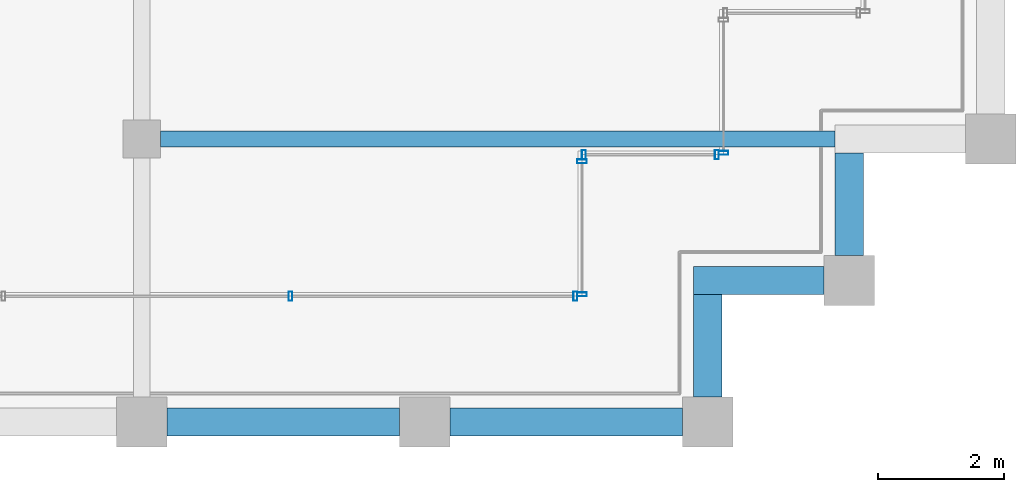
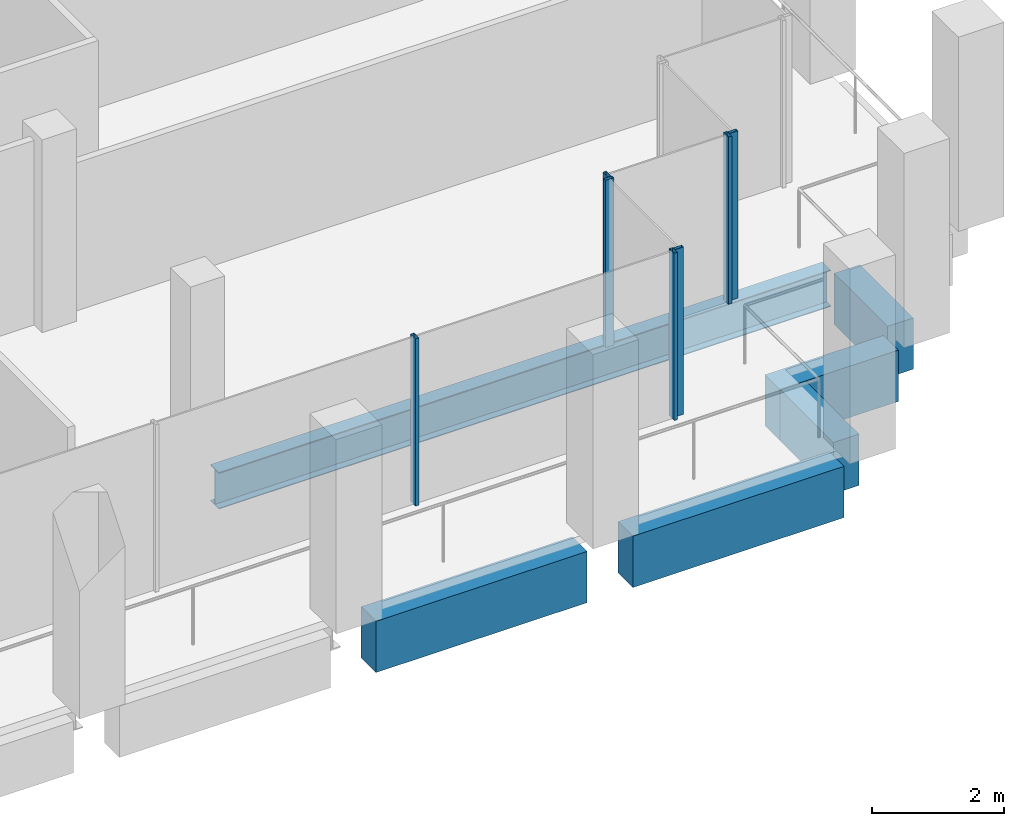
# One storey, part 12 of 30: 7 members, 6 beams, 4 elements without a shape of their own.
"""IFC4 building model written with IfcOpenShell, lengths in metres."""

from ifc_helpers import new_model, si_unit, direction, frame, origin, origin_2d, place, context, subcontext, project, spatial, rectangle, hollow_rectangle, i_section, extrude, material, material_profile, profile_set, type_object, element, aggregate, save


model = new_model("IFC4")

# Units and contexts
model_context = context("Model", 3, precision=1e-05, world=origin(), true_north=direction((0.0, 1.0)))
body_context = subcontext(model_context, "Body", "Model", "MODEL_VIEW")
ifc_project = project(units=[si_unit("LENGTHUNIT", "METRE"), si_unit("AREAUNIT", "SQUARE_METRE"), si_unit("VOLUMEUNIT", "CUBIC_METRE"), si_unit("PLANEANGLEUNIT", "RADIAN"), si_unit("MASSUNIT", "GRAM", prefix="KILO")], contexts=[model_context])

# Site, building, storey
site_placement = place(None, origin())
site = spatial("IfcSite", under=ifc_project, at=site_placement, CompositionType="ELEMENT")
building_placement = place(site_placement, origin())
building = spatial("IfcBuilding", under=site, at=building_placement, Name="Altepetl Exchange Towers", CompositionType="ELEMENT")
storey_placement = place(building_placement, frame((0.0, 0.0, 213.60009765625)))
storey = spatial("IfcBuildingStorey", under=building, at=storey_placement, Name="L54", CompositionType="ELEMENT", Elevation=213.60009765625)

# Beam
ifc_material_1 = material(Name="Steel S355", Category="steel")
ifc_material_profile_1 = material_profile(ifc_material_1, i_section(OverallWidth=0.2529296875, OverallDepth=0.677978515625, WebThickness=0.01171875, FlangeThickness=0.016357421875, at=origin_2d()), Name="W27X84")
ifc_profile_set_1 = profile_set([ifc_material_profile_1], Name="Steel S355")
beam_type_1 = type_object("IfcBeamType", Name="Floor beam W27X84", PredefinedType="BEAM", material=ifc_profile_set_1)
beam_1_placement = place(storey_placement, frame((58.800048828125, 31.5, -0.489013671875), z_axis=(1.0, 0.0, 0.0), x_axis=(0.0, 1.0, 0.0)))
element("IfcBeam", 1, at=beam_1_placement, inside=storey, type_object=beam_type_1, Name="bm:A:L54:006", PredefinedType="BEAM", context=body_context, shape_type="SweptSolid", body=[
    extrude(i_section(OverallWidth=0.2529296875, OverallDepth=0.677978515625, WebThickness=0.01171875, FlangeThickness=0.016357421875, at=origin_2d()), origin(), (0.0, 0.0, 1.0), 10.724853515625),
])

# Curtain wall, members
ifc_material_2 = material(Name="Aluminium 6063-T6 glazing", Category="aluminium")
curtain_wall_type = type_object("IfcCurtainWallType", Name="Loggia glazing system", PredefinedType="NOTDEFINED", material=ifc_material_2)
curtain_wall_1_placement = place(storey_placement, origin())
curtain_wall_1 = element("IfcCurtainWall", 2, at=curtain_wall_1_placement, inside=storey, type_object=curtain_wall_type, Name="CW1 run", PredefinedType="NOTDEFINED")
ifc_material_3 = material(Name="Aluminium 6063-T6", Category="aluminium")
ifc_material_profile_2 = material_profile(ifc_material_3, hollow_rectangle(XDim=0.06005859375, YDim=0.14990234375, WallThickness=0.0029296875, at=origin_2d()), Name="Mullion 60x150 aluminium")
ifc_profile_set_2 = profile_set([ifc_material_profile_2], Name="Aluminium 6063-T6")
member_type = type_object("IfcMemberType", Name="Mullion 60x150 aluminium", PredefinedType="MULLION", material=ifc_profile_set_2)
member_1_placement = place(storey_placement, frame((60.8642578125, 29.0, 0.0)))
member_1 = element("IfcMember", 3, at=member_1_placement, type_object=member_type, Name="MU1 mullion", PredefinedType="MULLION", context=body_context, shape_type="SweptSolid", body=[
    extrude(hollow_rectangle(XDim=0.06005859375, YDim=0.14990234375, WallThickness=0.0029296875, at=origin_2d()), origin(), (0.0, 0.0, 1.0), 3.099853515625),
])
member_2_placement = place(storey_placement, frame((65.39501953125, 29.0, 0.0)))
member_2 = element("IfcMember", 4, at=member_2_placement, type_object=member_type, Name="MU1 mullion", PredefinedType="MULLION", context=body_context, shape_type="SweptSolid", body=[
    extrude(hollow_rectangle(XDim=0.06005859375, YDim=0.14990234375, WallThickness=0.0029296875, at=origin_2d()), origin(), (0.0, 0.0, 1.0), 3.099853515625),
])
aggregate(curtain_wall_1, [member_1, member_2])

curtain_wall_2_placement = place(storey_placement, origin())
curtain_wall_2 = element("IfcCurtainWall", 5, at=curtain_wall_2_placement, inside=storey, type_object=curtain_wall_type, Name="CW1 run", PredefinedType="NOTDEFINED")
member_3_placement = place(storey_placement, frame((65.5, 29.030029296875, 0.0), z_axis=(0.0, 0.0, 1.0), x_axis=(0.0, 1.0, 0.0)))
member_3 = element("IfcMember", 6, at=member_3_placement, type_object=member_type, Name="MU1 mullion", PredefinedType="MULLION", context=body_context, shape_type="SweptSolid", body=[
    extrude(hollow_rectangle(XDim=0.06005859375, YDim=0.14990234375, WallThickness=0.0029296875, at=origin_2d()), origin(), (0.0, 0.0, 1.0), 3.099853515625),
])
member_4_placement = place(storey_placement, frame((65.5, 31.14501953125, 0.0), z_axis=(0.0, 0.0, 1.0), x_axis=(0.0, 1.0, 0.0)))
member_4 = element("IfcMember", 7, at=member_4_placement, type_object=member_type, Name="MU1 mullion", PredefinedType="MULLION", context=body_context, shape_type="SweptSolid", body=[
    extrude(hollow_rectangle(XDim=0.06005859375, YDim=0.14990234375, WallThickness=0.0029296875, at=origin_2d()), origin(), (0.0, 0.0, 1.0), 3.099853515625),
])
aggregate(curtain_wall_2, [member_3, member_4])

curtain_wall_3_placement = place(storey_placement, origin())
curtain_wall_3 = element("IfcCurtainWall", 8, at=curtain_wall_3_placement, inside=storey, type_object=curtain_wall_type, Name="CW1 run", PredefinedType="NOTDEFINED")
member_5_placement = place(storey_placement, frame((65.530029296875, 31.25, 0.0)))
member_5 = element("IfcMember", 9, at=member_5_placement, type_object=member_type, Name="MU1 mullion", PredefinedType="MULLION", context=body_context, shape_type="SweptSolid", body=[
    extrude(hollow_rectangle(XDim=0.06005859375, YDim=0.14990234375, WallThickness=0.0029296875, at=origin_2d()), origin(), (0.0, 0.0, 1.0), 3.099853515625),
])
member_6_placement = place(storey_placement, frame((67.64501953125, 31.25, 0.0)))
member_6 = element("IfcMember", 10, at=member_6_placement, type_object=member_type, Name="MU1 mullion", PredefinedType="MULLION", context=body_context, shape_type="SweptSolid", body=[
    extrude(hollow_rectangle(XDim=0.06005859375, YDim=0.14990234375, WallThickness=0.0029296875, at=origin_2d()), origin(), (0.0, 0.0, 1.0), 3.099853515625),
])
aggregate(curtain_wall_3, [member_5, member_6])

# Curtain wall, member
curtain_wall_4_placement = place(storey_placement, origin())
curtain_wall_4 = element("IfcCurtainWall", 11, at=curtain_wall_4_placement, inside=storey, type_object=curtain_wall_type, Name="CW1 run", PredefinedType="NOTDEFINED")
member_7_placement = place(storey_placement, frame((67.75, 31.280029296875, 0.0), z_axis=(0.0, 0.0, 1.0), x_axis=(0.0, 1.0, 0.0)))
member_7 = element("IfcMember", 12, at=member_7_placement, type_object=member_type, Name="MU1 mullion", PredefinedType="MULLION", context=body_context, shape_type="SweptSolid", body=[
    extrude(hollow_rectangle(XDim=0.06005859375, YDim=0.14990234375, WallThickness=0.0029296875, at=origin_2d()), origin(), (0.0, 0.0, 1.0), 3.099853515625),
])
aggregate(curtain_wall_4, [member_7])

# Beams
ifc_material_4 = material(Name="Concrete C50/60 precast with cantera amarilla facing", Category="concrete")
ifc_material_profile_3 = material_profile(ifc_material_4, rectangle(XDim=0.449951171875, YDim=0.949951171875, at=origin_2d()), Name="450 x 950")
ifc_profile_set_3 = profile_set([ifc_material_profile_3], Name="Concrete C50/60 precast with cantera amarilla facing")
beam_type_2 = type_object("IfcBeamType", Name="Spandrel beam 450x950 cantera amarilla", PredefinedType="SPANDREL", material=ifc_profile_set_3)
for number, where, z_axis, x_axis, name in (
    (13, (58.89990234375, 27.0, -0.625), (1.0, 0.0, 0.0), (0.0, 1.0, 0.0), "sp:A:L54:006"),
    (14, (63.39990234375, 27.0, -0.625), (1.0, 0.0, 0.0), (0.0, 1.0, 0.0), "sp:A:L54:007"),
):
    element("IfcBeam", number, at=place(storey_placement, frame(where, z_axis=z_axis, x_axis=x_axis)), inside=storey, type_object=beam_type_2, Name=name, PredefinedType="SPANDREL", context=body_context, shape_type="SweptSolid", body=[
        extrude(rectangle(XDim=0.449951171875, YDim=0.949951171875, at=origin_2d()), origin(), (0.0, 0.0, 1.0), 3.7001953125),
    ])
beam_2_placement = place(storey_placement, frame((67.5, 27.39990234375, -0.625), z_axis=(0.0, 1.0, 0.0), x_axis=(-1.0, 0.0, 0.0)))
element("IfcBeam", 15, at=beam_2_placement, inside=storey, type_object=beam_type_2, Name="sp:A:L54:008", PredefinedType="SPANDREL", context=body_context, shape_type="SweptSolid", body=[
    extrude(rectangle(XDim=0.449951171875, YDim=0.949951171875, at=origin_2d()), origin(), (0.0, 0.0, 1.0), 1.625),
])
beam_3_placement = place(storey_placement, frame((67.27490234375, 29.25, -0.625), z_axis=(1.0, 0.0, 0.0), x_axis=(0.0, 1.0, 0.0)))
element("IfcBeam", 16, at=beam_3_placement, inside=storey, type_object=beam_type_2, Name="sp:A:L54:009", PredefinedType="SPANDREL", context=body_context, shape_type="SweptSolid", body=[
    extrude(rectangle(XDim=0.449951171875, YDim=0.949951171875, at=origin_2d()), origin(), (0.0, 0.0, 1.0), 2.0751953125),
])
beam_4_placement = place(storey_placement, frame((69.75, 29.64990234375, -0.625), z_axis=(0.0, 1.0, 0.0), x_axis=(-1.0, 0.0, 0.0)))
element("IfcBeam", 17, at=beam_4_placement, inside=storey, type_object=beam_type_2, Name="sp:A:L54:010", PredefinedType="SPANDREL", context=body_context, shape_type="SweptSolid", body=[
    extrude(rectangle(XDim=0.449951171875, YDim=0.949951171875, at=origin_2d()), origin(), (0.0, 0.0, 1.0), 1.625),
])

save(model, "model.ifc")
